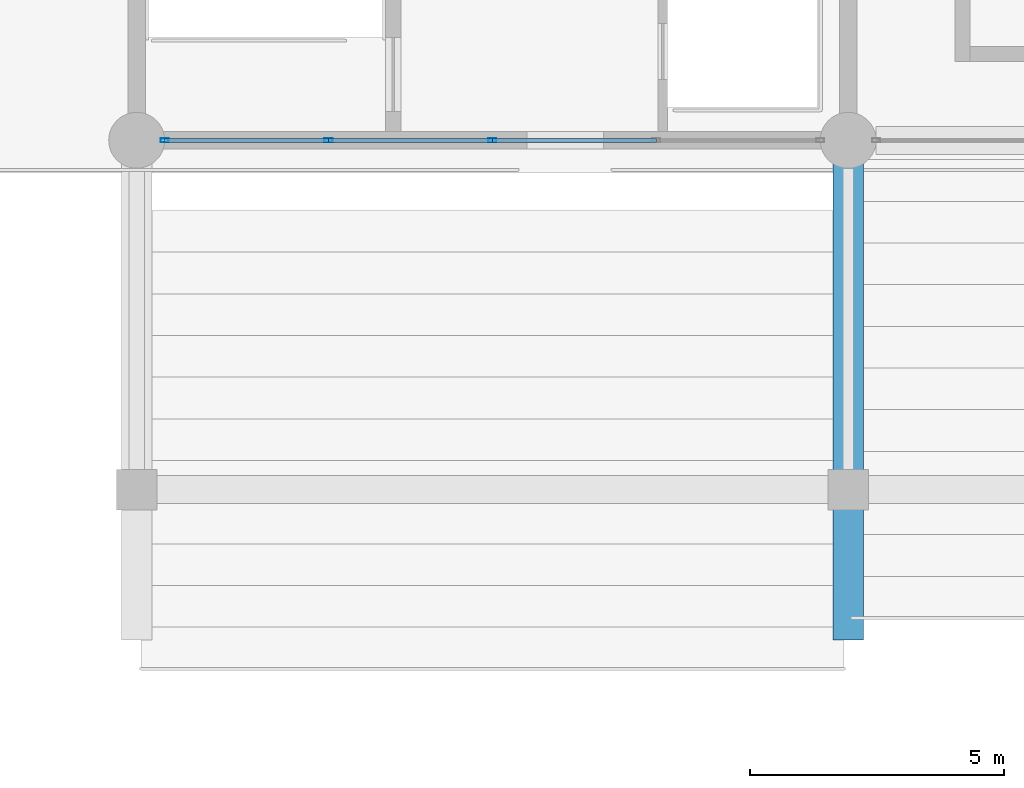
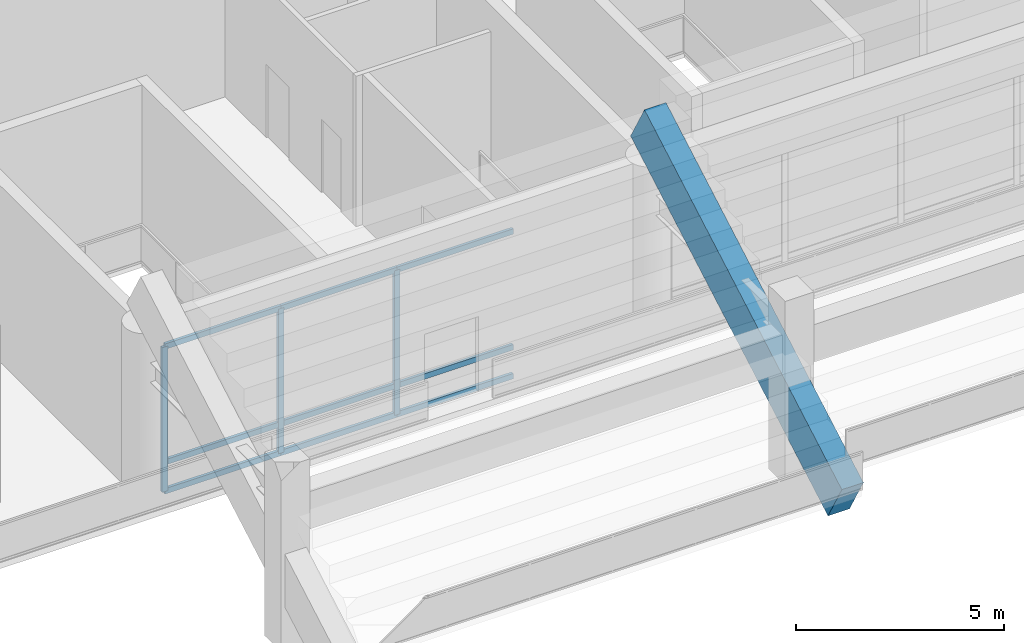
# One storey, part 47 of 90: 12 members, 1 beam, 1 element without a shape of its own.
"""IFC4 building model written with IfcOpenShell, lengths in metres."""

from ifc_helpers import new_model, si_unit, direction, frame, origin, origin_2d, place, context, subcontext, project, spatial, rectangle, hollow_rectangle, extrude, material, material_profile, profile_set, type_object, element, aggregate, save


model = new_model("IFC4")

# Units and contexts
model_context = context("Model", 3, precision=1e-05, world=origin(), true_north=direction((0.0, 1.0)))
body_context = subcontext(model_context, "Body", "Model", "MODEL_VIEW")
ifc_project = project(units=[si_unit("LENGTHUNIT", "METRE"), si_unit("AREAUNIT", "SQUARE_METRE"), si_unit("VOLUMEUNIT", "CUBIC_METRE"), si_unit("PLANEANGLEUNIT", "RADIAN"), si_unit("MASSUNIT", "GRAM", prefix="KILO")], contexts=[model_context])

# Site, building, storey
site_placement = place(None, origin())
site = spatial("IfcSite", under=ifc_project, at=site_placement, CompositionType="ELEMENT")
building_placement = place(site_placement, origin())
building = spatial("IfcBuilding", under=site, at=building_placement, Name="Linyun Crest Stadium", CompositionType="ELEMENT")
storey_placement = place(building_placement, frame((0.0, 0.0, 21.0)))
storey = spatial("IfcBuildingStorey", under=building, at=storey_placement, Name="L05", CompositionType="ELEMENT", Elevation=21.0)

# Curtain wall, members
ifc_material_1 = material(Name="Verdigris steel and low-E curtain wall assembly", Category="steel")
curtain_wall_type = type_object("IfcCurtainWallType", Name="MCW03", PredefinedType="NOTDEFINED", material=ifc_material_1)
curtain_wall_placement = place(storey_placement, origin())
curtain_wall = element("IfcCurtainWall", 1, at=curtain_wall_placement, inside=storey, type_object=curtain_wall_type, Name="CWR-130", PredefinedType="NOTDEFINED")
ifc_material_2 = material(Name="Aluminium thermally broken mullion", Category="aluminium")
ifc_material_profile_1 = material_profile(ifc_material_2, hollow_rectangle(XDim=0.080078125, YDim=0.159912109375, WallThickness=0.006103515625, at=origin_2d()), Name="RHS 160x80x6")
ifc_profile_set_1 = profile_set([ifc_material_profile_1], Name="Aluminium thermally broken mullion")
member_type_1 = type_object("IfcMemberType", Name="ML01", PredefinedType="MULLION", material=ifc_profile_set_1)
member_1_placement = place(storey_placement, frame((-27.449951171875, 91.5, 0.0), z_axis=(0.0, 0.0, 1.0), x_axis=(0.0, 1.0, 0.0)))
member_1 = element("IfcMember", 2, at=member_1_placement, type_object=member_type_1, Name="CWR-130 mullion 1", PredefinedType="MULLION", context=body_context, shape_type="SweptSolid", body=[
    extrude(hollow_rectangle(XDim=0.080078125, YDim=0.159912109375, WallThickness=0.006103515625, at=origin_2d()), origin(), (0.0, 0.0, 1.0), 4.25),
])
member_2_placement = place(storey_placement, frame((-24.22509765625, 91.5, 0.0), z_axis=(0.0, 0.0, 1.0), x_axis=(0.0, 1.0, 0.0)))
member_2 = element("IfcMember", 3, at=member_2_placement, type_object=member_type_1, Name="CWR-130 mullion 2", PredefinedType="MULLION", context=body_context, shape_type="SweptSolid", body=[
    extrude(hollow_rectangle(XDim=0.080078125, YDim=0.159912109375, WallThickness=0.006103515625, at=origin_2d()), origin(), (0.0, 0.0, 1.0), 4.25),
])
member_3_placement = place(storey_placement, frame((-21.0, 91.5, 0.0), z_axis=(0.0, 0.0, 1.0), x_axis=(0.0, 1.0, 0.0)))
member_3 = element("IfcMember", 4, at=member_3_placement, type_object=member_type_1, Name="CWR-130 mullion 3", PredefinedType="MULLION", context=body_context, shape_type="SweptSolid", body=[
    extrude(hollow_rectangle(XDim=0.080078125, YDim=0.159912109375, WallThickness=0.006103515625, at=origin_2d()), origin(), (0.0, 0.0, 1.0), 4.25),
])

# Beam
ifc_material_3 = material(Name="Precast concrete C50", Category="concrete")
ifc_material_profile_2 = material_profile(ifc_material_3, rectangle(XDim=0.60009765625, YDim=1.35009765625, at=origin_2d()), Name="PCR 1350x600")
ifc_profile_set_2 = profile_set([ifc_material_profile_2], Name="Precast concrete C50")
beam_type = type_object("IfcBeamType", Name="RB03", PredefinedType="USERDEFINED", material=ifc_profile_set_2)
beam_placement = place(storey_placement, frame((-14.0, 82.0, 0.800048828125), z_axis=(0.0, 0.869371049884, 0.494159870511), x_axis=(-1.0, 0.0, 0.0)))
element("IfcBeam", 5, at=beam_placement, inside=storey, type_object=beam_type, Name="Precast raker beam RB03 V3 74", ObjectType="RAKER", PredefinedType="USERDEFINED", context=body_context, shape_type="SweptSolid", body=[
    extrude(rectangle(XDim=0.60009765625, YDim=1.35009765625, at=origin_2d()), origin(), (0.0, 0.0, 1.0), 10.927490234375),
])

# Member
ifc_material_4 = material(Name="Aluminium thermally broken transom", Category="aluminium")
ifc_material_profile_3 = material_profile(ifc_material_4, hollow_rectangle(XDim=0.080078125, YDim=0.159912109375, WallThickness=0.006103515625, at=origin_2d()), Name="RHS 160x80x6")
ifc_profile_set_3 = profile_set([ifc_material_profile_3], Name="Aluminium thermally broken transom")
member_type_2 = type_object("IfcMemberType", Name="TR01", PredefinedType="USERDEFINED", material=ifc_profile_set_3)
member_4_placement = place(storey_placement, frame((-27.449951171875, 91.5, 0.0), z_axis=(1.0, 0.0, 0.0), x_axis=(0.0, 1.0, 0.0)))
member_4 = element("IfcMember", 6, at=member_4_placement, type_object=member_type_2, Name="CWR-130 transom 1.1", ObjectType="TRANSOM", PredefinedType="USERDEFINED", context=body_context, shape_type="SweptSolid", body=[
    extrude(hollow_rectangle(XDim=0.080078125, YDim=0.159912109375, WallThickness=0.006103515625, at=origin_2d()), origin(), (0.0, 0.0, 1.0), 3.224853515625),
])

member_5_placement = place(storey_placement, frame((-27.449951171875, 91.5, 0.85009765625), z_axis=(1.0, 0.0, 0.0), x_axis=(0.0, 1.0, 0.0)))
member_5 = element("IfcMember", 7, at=member_5_placement, type_object=member_type_2, Name="CWR-130 transom 1.2", ObjectType="TRANSOM", PredefinedType="USERDEFINED", context=body_context, shape_type="SweptSolid", body=[
    extrude(hollow_rectangle(XDim=0.080078125, YDim=0.159912109375, WallThickness=0.006103515625, at=origin_2d()), origin(), (0.0, 0.0, 1.0), 3.224853515625),
])

member_6_placement = place(storey_placement, frame((-27.449951171875, 91.5, 4.25), z_axis=(1.0, 0.0, 0.0), x_axis=(0.0, 1.0, 0.0)))
member_6 = element("IfcMember", 8, at=member_6_placement, type_object=member_type_2, Name="CWR-130 transom 1.3", ObjectType="TRANSOM", PredefinedType="USERDEFINED", context=body_context, shape_type="SweptSolid", body=[
    extrude(hollow_rectangle(XDim=0.080078125, YDim=0.159912109375, WallThickness=0.006103515625, at=origin_2d()), origin(), (0.0, 0.0, 1.0), 3.224853515625),
])

member_7_placement = place(storey_placement, frame((-24.22509765625, 91.5, 0.0), z_axis=(1.0, 0.0, 0.0), x_axis=(0.0, 1.0, 0.0)))
member_7 = element("IfcMember", 9, at=member_7_placement, type_object=member_type_2, Name="CWR-130 transom 2.1", ObjectType="TRANSOM", PredefinedType="USERDEFINED", context=body_context, shape_type="SweptSolid", body=[
    extrude(hollow_rectangle(XDim=0.080078125, YDim=0.159912109375, WallThickness=0.006103515625, at=origin_2d()), origin(), (0.0, 0.0, 1.0), 3.22509765625),
])

member_8_placement = place(storey_placement, frame((-24.22509765625, 91.5, 0.85009765625), z_axis=(1.0, 0.0, 0.0), x_axis=(0.0, 1.0, 0.0)))
member_8 = element("IfcMember", 10, at=member_8_placement, type_object=member_type_2, Name="CWR-130 transom 2.2", ObjectType="TRANSOM", PredefinedType="USERDEFINED", context=body_context, shape_type="SweptSolid", body=[
    extrude(hollow_rectangle(XDim=0.080078125, YDim=0.159912109375, WallThickness=0.006103515625, at=origin_2d()), origin(), (0.0, 0.0, 1.0), 3.22509765625),
])

member_9_placement = place(storey_placement, frame((-24.22509765625, 91.5, 4.25), z_axis=(1.0, 0.0, 0.0), x_axis=(0.0, 1.0, 0.0)))
member_9 = element("IfcMember", 11, at=member_9_placement, type_object=member_type_2, Name="CWR-130 transom 2.3", ObjectType="TRANSOM", PredefinedType="USERDEFINED", context=body_context, shape_type="SweptSolid", body=[
    extrude(hollow_rectangle(XDim=0.080078125, YDim=0.159912109375, WallThickness=0.006103515625, at=origin_2d()), origin(), (0.0, 0.0, 1.0), 3.22509765625),
])

member_10_placement = place(storey_placement, frame((-21.0, 91.5, 0.0), z_axis=(1.0, 0.0, 0.0), x_axis=(0.0, 1.0, 0.0)))
member_10 = element("IfcMember", 12, at=member_10_placement, type_object=member_type_2, Name="CWR-130 transom 3.1", ObjectType="TRANSOM", PredefinedType="USERDEFINED", context=body_context, shape_type="SweptSolid", body=[
    extrude(hollow_rectangle(XDim=0.080078125, YDim=0.159912109375, WallThickness=0.006103515625, at=origin_2d()), origin(), (0.0, 0.0, 1.0), 3.22509765625),
])

member_11_placement = place(storey_placement, frame((-21.0, 91.5, 0.85009765625), z_axis=(1.0, 0.0, 0.0), x_axis=(0.0, 1.0, 0.0)))
member_11 = element("IfcMember", 13, at=member_11_placement, type_object=member_type_2, Name="CWR-130 transom 3.2", ObjectType="TRANSOM", PredefinedType="USERDEFINED", context=body_context, shape_type="SweptSolid", body=[
    extrude(hollow_rectangle(XDim=0.080078125, YDim=0.159912109375, WallThickness=0.006103515625, at=origin_2d()), origin(), (0.0, 0.0, 1.0), 3.22509765625),
])

member_12_placement = place(storey_placement, frame((-21.0, 91.5, 4.25), z_axis=(1.0, 0.0, 0.0), x_axis=(0.0, 1.0, 0.0)))
member_12 = element("IfcMember", 14, at=member_12_placement, type_object=member_type_2, Name="CWR-130 transom 3.3", ObjectType="TRANSOM", PredefinedType="USERDEFINED", context=body_context, shape_type="SweptSolid", body=[
    extrude(hollow_rectangle(XDim=0.080078125, YDim=0.159912109375, WallThickness=0.006103515625, at=origin_2d()), origin(), (0.0, 0.0, 1.0), 3.22509765625),
])

aggregate(curtain_wall, [member_1, member_2, member_3, member_4, member_5, member_6, member_7, member_8, member_9, member_10, member_11, member_12])

save(model, "model.ifc")
